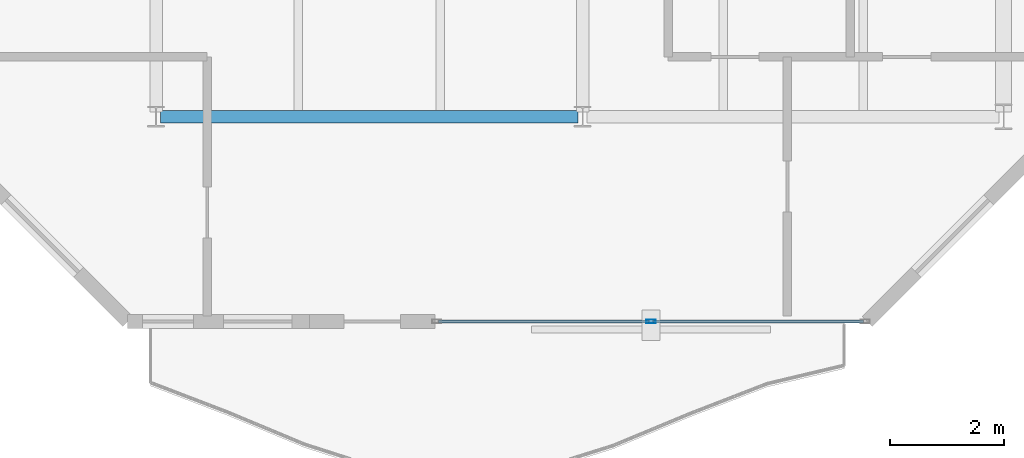
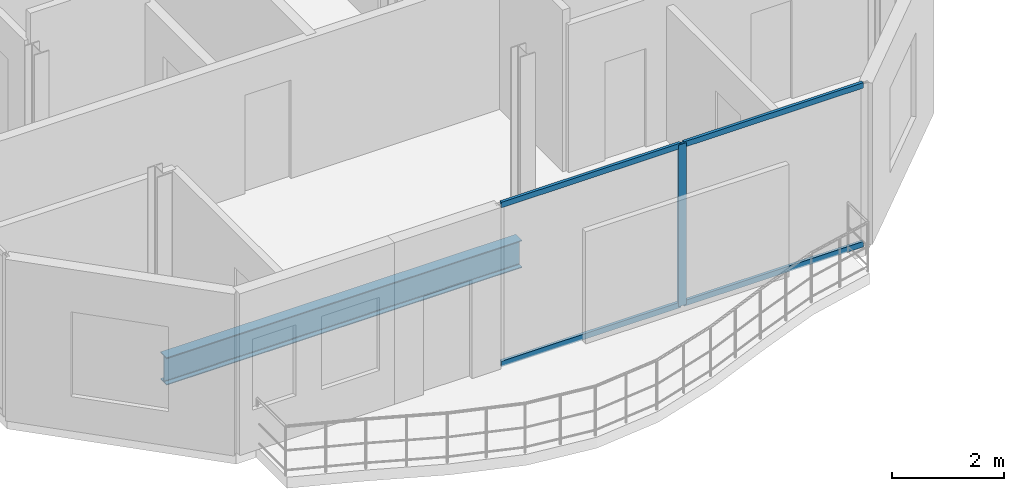
# One storey, part 4 of 22: 5 members, 1 beam, 1 element without a shape of its own.
"""IFC4 building model written with IfcOpenShell, lengths in metres."""

from ifc_helpers import new_model, si_unit, direction, frame, origin, origin_2d, place, context, subcontext, project, spatial, hollow_rectangle, i_section, extrude, material, layer, layer_set, material_profile, profile_set, type_object, element, aggregate, save


model = new_model("IFC4")

# Units and contexts
model_context = context("Model", 3, precision=1e-05, world=origin(), true_north=direction((0.0, 1.0)))
body_context = subcontext(model_context, "Body", "Model", "MODEL_VIEW")
ifc_project = project(units=[si_unit("LENGTHUNIT", "METRE"), si_unit("AREAUNIT", "SQUARE_METRE"), si_unit("VOLUMEUNIT", "CUBIC_METRE"), si_unit("PLANEANGLEUNIT", "RADIAN"), si_unit("MASSUNIT", "GRAM", prefix="KILO")], contexts=[model_context])

# Site, building, storey
site_placement = place(None, origin())
site = spatial("IfcSite", under=ifc_project, at=site_placement, CompositionType="ELEMENT")
building_placement = place(site_placement, origin())
building = spatial("IfcBuilding", under=site, at=building_placement, Name="Catumbela Crestline Tower", CompositionType="ELEMENT")
storey_placement = place(building_placement, frame((0.0, 0.0, 222.2)))
storey = spatial("IfcBuildingStorey", under=building, at=storey_placement, Name="L57", CompositionType="ELEMENT", Elevation=222.2)

# Beam
ifc_material_1 = material(Name="Structural steel S355J2", Category="steel")
ifc_material_profile_1 = material_profile(ifc_material_1, i_section(OverallWidth=0.22, OverallDepth=0.6, WebThickness=0.012, FlangeThickness=0.019, FilletRadius=0.024, at=origin_2d()), Name="IPE 600")
ifc_profile_set_1 = profile_set([ifc_material_profile_1], Name="Structural steel S355J2")
beam_type = type_object("IfcBeamType", Name="BG-IPE600", PredefinedType="BEAM", material=ifc_profile_set_1)
beam_placement = place(storey_placement, frame((8.58, 13.6, -0.56), z_axis=(1.0, 0.0, 0.0), x_axis=(0.0, 1.0, 0.0)))
element("IfcBeam", 1, at=beam_placement, inside=storey, type_object=beam_type, Name="L57 Beam BM-L57-WEW27", PredefinedType="BEAM", context=body_context, shape_type="SweptSolid", body=[
    extrude(i_section(OverallWidth=0.22, OverallDepth=0.6, WebThickness=0.012, FlangeThickness=0.019, FilletRadius=0.024, at=origin_2d()), origin(), (0.0, 0.0, 1.0), 7.34),
])

# Curtain wall, members
ifc_material_2 = material(Name="Aluminium alloy AW-6060-T66", Category="aluminium")
ifc_layer = layer(ifc_material_2, 0.18, Name="Aluminium alloy AW-6060-T66")
ifc_layer_set = layer_set([ifc_layer], Name="Aluminium alloy AW-6060-T66")
curtain_wall_type = type_object("IfcCurtainWallType", Name="CWU-Z4", PredefinedType="USERDEFINED", material=ifc_layer_set)
curtain_wall_placement = place(storey_placement, origin())
curtain_wall = element("IfcCurtainWall", 2, at=curtain_wall_placement, inside=storey, type_object=curtain_wall_type, Name="L57 Unitised Curtain Wall CW-L57-E0S2", ObjectType="UNITISED", PredefinedType="USERDEFINED")
ifc_material_profile_2 = material_profile(ifc_material_2, hollow_rectangle(XDim=0.06, YDim=0.16, WallThickness=0.004, at=origin_2d()), Name="ALU 160x60x4")
ifc_profile_set_2 = profile_set([ifc_material_profile_2], Name="Aluminium alloy AW-6060-T66")
member_type_1 = type_object("IfcMemberType", Name="MUL-160X60", PredefinedType="MULLION", material=ifc_profile_set_2)
member_1_placement = place(storey_placement, frame((17.2, 10.0, 0.0), z_axis=(0.0, 0.0, 1.0), x_axis=(0.0, 1.0, 0.0)))
member_1 = element("IfcMember", 3, at=member_1_placement, type_object=member_type_1, Name="CWU-Z4 mullion 2", PredefinedType="MULLION", context=body_context, shape_type="SweptSolid", body=[
    extrude(hollow_rectangle(XDim=0.06, YDim=0.16, WallThickness=0.004, at=origin_2d()), origin(), (0.0, 0.0, 1.0), 3.53),
])
ifc_material_profile_3 = material_profile(ifc_material_2, hollow_rectangle(XDim=0.06, YDim=0.12, WallThickness=0.0035, at=origin_2d()), Name="ALU 120x60x3.5")
ifc_profile_set_3 = profile_set([ifc_material_profile_3], Name="Aluminium alloy AW-6060-T66")
member_type_2 = type_object("IfcMemberType", Name="TRN-120X60", PredefinedType="USERDEFINED", material=ifc_profile_set_3)
member_2_placement = place(storey_placement, frame((13.465, 10.0, 0.03), z_axis=(1.0, 0.0, 0.0), x_axis=(0.0, 1.0, 0.0)))
member_2 = element("IfcMember", 4, at=member_2_placement, type_object=member_type_2, Name="CWU-Z4 transom 1.1", ObjectType="TRANSOM", PredefinedType="USERDEFINED", context=body_context, shape_type="SweptSolid", body=[
    extrude(hollow_rectangle(XDim=0.06, YDim=0.12, WallThickness=0.0035, at=origin_2d()), origin(), (0.0, 0.0, 1.0), 3.7025),
])
member_3_placement = place(storey_placement, frame((13.465, 10.0, 3.5), z_axis=(1.0, 0.0, 0.0), x_axis=(0.0, 1.0, 0.0)))
member_3 = element("IfcMember", 5, at=member_3_placement, type_object=member_type_2, Name="CWU-Z4 transom 1.2", ObjectType="TRANSOM", PredefinedType="USERDEFINED", context=body_context, shape_type="SweptSolid", body=[
    extrude(hollow_rectangle(XDim=0.06, YDim=0.12, WallThickness=0.0035, at=origin_2d()), origin(), (0.0, 0.0, 1.0), 3.7025),
])
member_4_placement = place(storey_placement, frame((17.2325, 10.0, 0.03), z_axis=(1.0, 0.0, 0.0), x_axis=(0.0, 1.0, 0.0)))
member_4 = element("IfcMember", 6, at=member_4_placement, type_object=member_type_2, Name="CWU-Z4 transom 2.1", ObjectType="TRANSOM", PredefinedType="USERDEFINED", context=body_context, shape_type="SweptSolid", body=[
    extrude(hollow_rectangle(XDim=0.06, YDim=0.12, WallThickness=0.0035, at=origin_2d()), origin(), (0.0, 0.0, 1.0), 3.7025),
])
member_5_placement = place(storey_placement, frame((17.2325, 10.0, 3.5), z_axis=(1.0, 0.0, 0.0), x_axis=(0.0, 1.0, 0.0)))
member_5 = element("IfcMember", 7, at=member_5_placement, type_object=member_type_2, Name="CWU-Z4 transom 2.2", ObjectType="TRANSOM", PredefinedType="USERDEFINED", context=body_context, shape_type="SweptSolid", body=[
    extrude(hollow_rectangle(XDim=0.06, YDim=0.12, WallThickness=0.0035, at=origin_2d()), origin(), (0.0, 0.0, 1.0), 3.7025),
])
aggregate(curtain_wall, [member_1, member_2, member_3, member_4, member_5])

save(model, "model.ifc")
